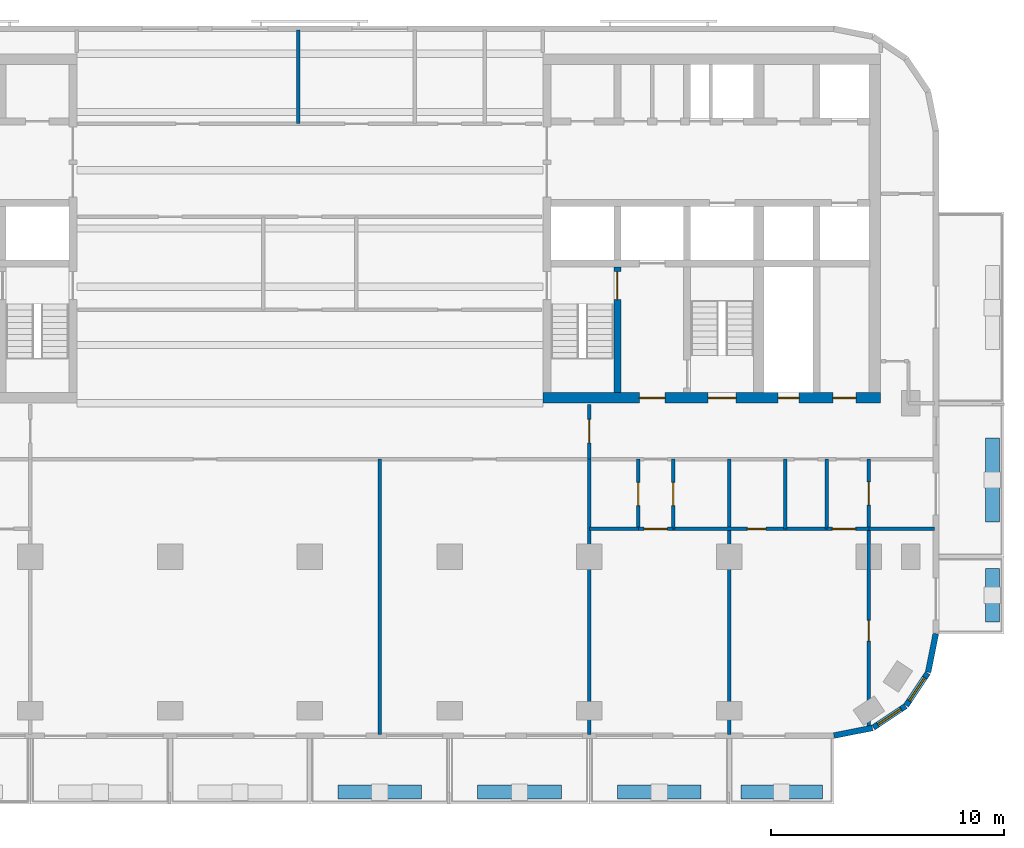
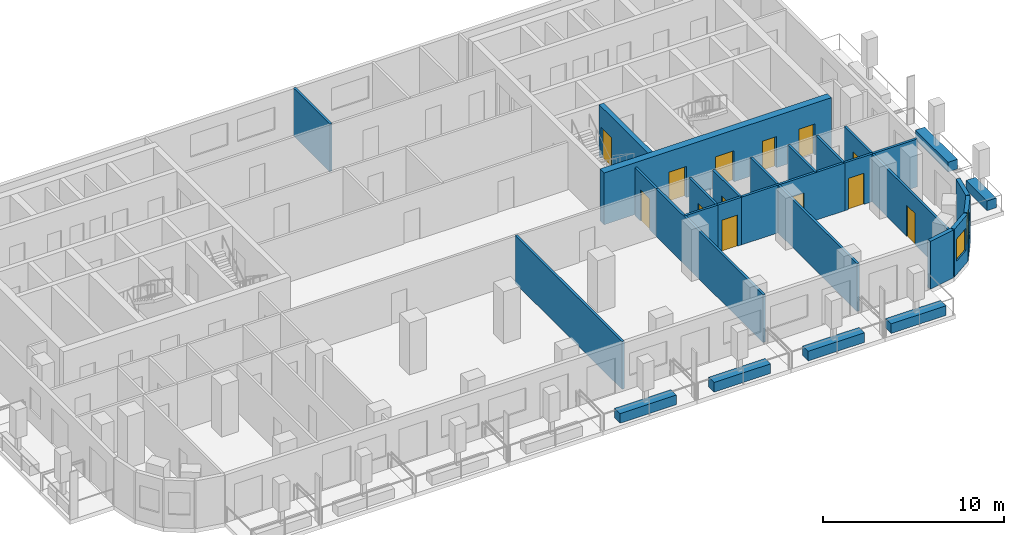
# One storey, part 5 of 11: 28 walls, 13 doors, 2 windows, 15 openings.
"""IFC4 building model written with IfcOpenShell, lengths in metres."""

from ifc_helpers import new_model, si_unit, direction, frame, frame_2d, origin, place, context, subcontext, project, spatial, rectangle, extrude, material, layer, layer_set, type_object, element, fill, save


model = new_model("IFC4")

# Units and contexts
model_context = context("Model", 3, precision=1e-05, world=origin(), true_north=direction((0.0, 1.0)))
body_context = subcontext(model_context, "Body", "Model", "MODEL_VIEW")
ifc_project = project(units=[si_unit("LENGTHUNIT", "METRE"), si_unit("AREAUNIT", "SQUARE_METRE"), si_unit("VOLUMEUNIT", "CUBIC_METRE"), si_unit("PLANEANGLEUNIT", "RADIAN"), si_unit("MASSUNIT", "GRAM", prefix="KILO")], contexts=[model_context])

# Site, building, storey
site_placement = place(None, origin())
site = spatial("IfcSite", under=ifc_project, at=site_placement, CompositionType="ELEMENT")
building_placement = place(site_placement, origin())
building = spatial("IfcBuilding", under=site, at=building_placement, Name="Torana Hotel and Residences", CompositionType="ELEMENT")
storey_placement = place(building_placement, frame((0.0, 0.0, 211.60009765625)))
storey = spatial("IfcBuildingStorey", under=building, at=storey_placement, Name="L55", CompositionType="ELEMENT", Elevation=211.60009765625)

# Wall, opening, door
ifc_material_1 = material(Name="Concrete C70/85", Category="concrete")
ifc_layer_1 = layer(ifc_material_1, 0.300048828125)
ifc_layer_set_1 = layer_set([ifc_layer_1], Name="CORE WALL 300 C70/85")
wall_type_1 = type_object("IfcWallType", Name="CORE WALL 300 C70/85", PredefinedType="SHEAR", material=ifc_layer_set_1)
wall_1_placement = place(storey_placement, frame((13.199951171875, -14.550048828125, 0.0), z_axis=(0.0, 0.0, 1.0), x_axis=(0.0, 1.0, 0.0)))
wall_1 = element("IfcWall", 1, at=wall_1_placement, inside=storey, type_object=wall_type_1, Name="Core wall E x3.05-band", PredefinedType="SHEAR", context=body_context, shape_type="SweptSolid", body=[
    extrude(rectangle(XDim=5.400146484375, YDim=0.300048828125, at=frame_2d((2.7001953125, 0.0))), origin(), (0.0, 0.0, 1.0), 3.5),
])
opening_1_placement = place(wall_1_placement, frame((4.0, 0.0, 0.0)))
opening_1 = element("IfcOpeningElement", 2, at=opening_1_placement, cuts=wall_1, Name="Opening L55-29", PredefinedType="OPENING", context=body_context, shape_type="SweptSolid", body=[
    extrude(rectangle(XDim=1.199951171875, YDim=2.10009765625, at=frame_2d((0.60009765625, 1.050048828125))), frame((0.0, 0.159912109375, 0.0), z_axis=(0.0, -1.0, 0.0), x_axis=(1.0, 0.0, 0.0)), (0.0, 0.0, 1.0), 0.320068359375),
])
ifc_material_2 = material(Name="Steel S235", Category="steel")
door_type_1 = type_object("IfcDoorType", Name="STAIR FIRE DOOR D3 1200x2100", OperationType="SINGLE_SWING_LEFT", PredefinedType="DOOR", material=ifc_material_2)
door_1_placement = place(opening_1_placement, origin())
door_1 = element("IfcDoor", 3, at=door_1_placement, inside=storey, type_object=door_type_1, Name="Stair-A-lobby door L55", OperationType="SINGLE_SWING_LEFT", OverallHeight=2.10009765625, OverallWidth=1.199951171875, PredefinedType="DOOR", context=body_context, shape_type="SweptSolid", body=[
    extrude(rectangle(XDim=1.199951171875, YDim=2.10009765625, at=frame_2d((0.60009765625, 1.050048828125))), frame((0.0, 0.02490234375, 0.0), z_axis=(0.0, -1.0, 0.0), x_axis=(1.0, 0.0, 0.0)), (0.0, 0.0, 1.0), 0.050048828125),
])
fill(opening_1, door_1)

# Wall, openings, doors
ifc_material_3 = material(Name="Concrete C70/85", Category="concrete")
ifc_layer_2 = layer(ifc_material_3, 0.449951171875)
ifc_layer_set_2 = layer_set([ifc_layer_2], Name="CORE WALL 450 C70/85")
wall_type_2 = type_object("IfcWallType", Name="CORE WALL 450 C70/85", PredefinedType="SHEAR", material=ifc_layer_set_2)
wall_2_placement = place(storey_placement, frame((10.0, -14.77490234375, 0.0), z_axis=(0.0, 0.0, 1.0), x_axis=(1.0, 0.0, 0.0)))
wall_2 = element("IfcWall", 4, at=wall_2_placement, inside=storey, type_object=wall_type_2, Name="Core wall E front", PredefinedType="SHEAR", context=body_context, shape_type="SweptSolid", body=[
    extrude(rectangle(XDim=14.5, YDim=0.449951171875, at=frame_2d((7.25, 0.0))), origin(), (0.0, 0.0, 1.0), 3.5),
])
opening_2_placement = place(wall_2_placement, frame((7.10009765625, 0.0, 0.0)))
opening_2 = element("IfcOpeningElement", 5, at=opening_2_placement, cuts=wall_2, Name="Opening L55-19", PredefinedType="OPENING", context=body_context, shape_type="SweptSolid", body=[
    extrude(rectangle(XDim=1.199951171875, YDim=2.10009765625, at=frame_2d((0.60009765625, 1.050048828125))), frame((0.0, 0.23486328125, 0.0), z_axis=(0.0, -1.0, 0.0), x_axis=(1.0, 0.0, 0.0)), (0.0, 0.0, 1.0), 0.469970703125),
])
opening_3_placement = place(wall_2_placement, frame((4.14990234375, 0.0, 0.0)))
opening_3 = element("IfcOpeningElement", 6, at=opening_3_placement, cuts=wall_2, Name="Opening L55-20", PredefinedType="OPENING", context=body_context, shape_type="SweptSolid", body=[
    extrude(rectangle(XDim=1.10009765625, YDim=2.10009765625, at=frame_2d((0.550048828125, 1.050048828125))), frame((0.0, 0.23486328125, 0.0), z_axis=(0.0, -1.0, 0.0), x_axis=(1.0, 0.0, 0.0)), (0.0, 0.0, 1.0), 0.469970703125),
])
opening_4_placement = place(wall_2_placement, frame((10.10009765625, 0.0, 0.0)))
opening_4 = element("IfcOpeningElement", 7, at=opening_4_placement, cuts=wall_2, Name="Opening L55-21", PredefinedType="OPENING", context=body_context, shape_type="SweptSolid", body=[
    extrude(rectangle(XDim=0.89990234375, YDim=2.10009765625, at=frame_2d((0.449951171875, 1.050048828125))), frame((0.0, 0.23486328125, 0.0), z_axis=(0.0, -1.0, 0.0), x_axis=(1.0, 0.0, 0.0)), (0.0, 0.0, 1.0), 0.469970703125),
])
opening_5_placement = place(wall_2_placement, frame((12.449951171875, 0.0, 0.0)))
opening_5 = element("IfcOpeningElement", 8, at=opening_5_placement, cuts=wall_2, Name="Opening L55-22", PredefinedType="OPENING", context=body_context, shape_type="SweptSolid", body=[
    extrude(rectangle(XDim=1.0, YDim=2.10009765625, at=frame_2d((0.5, 1.050048828125))), frame((0.0, 0.23486328125, 0.0), z_axis=(0.0, -1.0, 0.0), x_axis=(1.0, 0.0, 0.0)), (0.0, 0.0, 1.0), 0.469970703125),
])
ifc_material_4 = material(Name="Steel S235", Category="steel")
door_type_2 = type_object("IfcDoorType", Name="CORE ROOM FIRE DOOR D14 1000x2100", OperationType="SINGLE_SWING_LEFT", PredefinedType="DOOR", material=ifc_material_4)
door_2_placement = place(opening_5_placement, origin())
door_2 = element("IfcDoor", 9, at=door_2_placement, inside=storey, type_object=door_type_2, Name="M-Room door L55", OperationType="SINGLE_SWING_RIGHT", OverallHeight=2.10009765625, OverallWidth=1.0, PredefinedType="DOOR", context=body_context, shape_type="SweptSolid", body=[
    extrude(rectangle(XDim=1.0, YDim=2.10009765625, at=frame_2d((0.5, 1.050048828125))), frame((0.0, 0.02490234375, 0.0), z_axis=(0.0, -1.0, 0.0), x_axis=(1.0, 0.0, 0.0)), (0.0, 0.0, 1.0), 0.050048828125),
])
fill(opening_5, door_2)
ifc_material_5 = material(Name="Steel S235", Category="steel")
door_type_3 = type_object("IfcDoorType", Name="FIRE-FIGHTING LOBBY DOOR D8 1100x2100", OperationType="SINGLE_SWING_LEFT", PredefinedType="DOOR", material=ifc_material_5)
door_3_placement = place(opening_3_placement, origin())
door_3 = element("IfcDoor", 10, at=door_3_placement, inside=storey, type_object=door_type_3, Name="FF-lobby door L55", OperationType="SINGLE_SWING_RIGHT", OverallHeight=2.10009765625, OverallWidth=1.10009765625, PredefinedType="DOOR", context=body_context, shape_type="SweptSolid", body=[
    extrude(rectangle(XDim=1.10009765625, YDim=2.10009765625, at=frame_2d((0.550048828125, 1.050048828125))), frame((0.0, 0.02490234375, 0.0), z_axis=(0.0, -1.0, 0.0), x_axis=(1.0, 0.0, 0.0)), (0.0, 0.0, 1.0), 0.050048828125),
])
fill(opening_3, door_3)
ifc_material_6 = material(Name="Steel S235", Category="steel")
door_type_4 = type_object("IfcDoorType", Name="RISER ACCESS DOOR D5 900x2100", OperationType="SINGLE_SWING_LEFT", PredefinedType="DOOR", material=ifc_material_6)
door_4_placement = place(opening_4_placement, origin())
door_4 = element("IfcDoor", 11, at=door_4_placement, inside=storey, type_object=door_type_4, Name="M-Riser door L55", OperationType="SINGLE_SWING_RIGHT", OverallHeight=2.10009765625, OverallWidth=0.89990234375, PredefinedType="DOOR", context=body_context, shape_type="SweptSolid", body=[
    extrude(rectangle(XDim=0.89990234375, YDim=2.10009765625, at=frame_2d((0.449951171875, 1.050048828125))), frame((0.0, 0.02490234375, 0.0), z_axis=(0.0, -1.0, 0.0), x_axis=(1.0, 0.0, 0.0)), (0.0, 0.0, 1.0), 0.050048828125),
])
fill(opening_4, door_4)
door_5_placement = place(opening_2_placement, origin())
door_5 = element("IfcDoor", 12, at=door_5_placement, inside=storey, type_object=door_type_1, Name="Stair-B door L55", OperationType="SINGLE_SWING_RIGHT", OverallHeight=2.10009765625, OverallWidth=1.199951171875, PredefinedType="DOOR", context=body_context, shape_type="SweptSolid", body=[
    extrude(rectangle(XDim=1.199951171875, YDim=2.10009765625, at=frame_2d((0.60009765625, 1.050048828125))), frame((0.0, 0.02490234375, 0.0), z_axis=(0.0, -1.0, 0.0), x_axis=(1.0, 0.0, 0.0)), (0.0, 0.0, 1.0), 0.050048828125),
])
fill(opening_2, door_5)

# Wall
ifc_material_7 = material(Name="Black aluminium composite panel", Category="aluminium")
ifc_layer_3 = layer(ifc_material_7, 0.00390625, Name="Cladding", Category="cladding")
ifc_material_8 = material(Name="Ventilated air cavity")
ifc_layer_4 = layer(ifc_material_8, 0.0400390625, Name="Ventilated cavity", Category="cavity")
ifc_material_9 = material(Name="Mineral wool insulation")
ifc_layer_5 = layer(ifc_material_9, 0.090087890625, Name="Insulation", Category="insulation")
ifc_material_10 = material(Name="Steel S280GD", Category="steel")
ifc_layer_6 = layer(ifc_material_10, 0.092041015625, Name="Steel stud frame", Category="structure")
ifc_material_11 = material(Name="Fire rated plasterboard")
ifc_layer_7 = layer(ifc_material_11, 0.011962890625, Name="Inner board", Category="finish")
ifc_layer_8 = layer(ifc_material_11, 0.011962890625, Name="Second board", Category="finish")
ifc_layer_set_3 = layer_set([ifc_layer_3, ifc_layer_4, ifc_layer_5, ifc_layer_6, ifc_layer_7, ifc_layer_8], Name="EW1 EXTERNAL WALL BLACK METAL CLAD 250")
wall_type_3 = type_object("IfcWallType", Name="EW1 EXTERNAL WALL BLACK METAL CLAD 250", PredefinedType="SOLIDWALL", material=ifc_layer_set_3)
wall_3_placement = place(storey_placement, frame((22.499755859375, -29.272705078125, 0.0), z_axis=(0.0, 0.0, 1.0), x_axis=(0.980775640221, 0.19513878023, 0.0)))
element("IfcWall", 13, at=wall_3_placement, inside=storey, type_object=wall_type_3, Name="External wall L55 e0.15", PredefinedType="SOLIDWALL", context=body_context, shape_type="SweptSolid", body=[
    extrude(rectangle(XDim=1.681396484375, YDim=0.25, at=frame_2d((0.8408203125, 0.0))), origin(), (0.0, 0.0, 1.0), 3.219970703125),
])

# Wall, opening, window
wall_4_placement = place(storey_placement, frame((24.194091796875, -28.92578125, 0.0), z_axis=(0.0, 0.0, 1.0), x_axis=(0.831482937015, 0.55555029066, 0.0)))
wall_4 = element("IfcWall", 14, at=wall_4_placement, inside=storey, type_object=wall_type_3, Name="External wall L55 e0.16", PredefinedType="SOLIDWALL", context=body_context, shape_type="SweptSolid", body=[
    extrude(rectangle(XDim=1.65625, YDim=0.25, at=frame_2d((0.828125, 0.0))), origin(), (0.0, 0.0, 1.0), 3.219970703125),
])
opening_6_placement = place(wall_4_placement, frame((0.228271484375, 0.0, 0.89990234375)))
opening_6 = element("IfcOpeningElement", 15, at=opening_6_placement, cuts=wall_4, Name="Opening W5", PredefinedType="OPENING", context=body_context, shape_type="SweptSolid", body=[
    extrude(rectangle(XDim=1.199951171875, YDim=1.5, at=frame_2d((0.60009765625, 0.75))), frame((0.0, 0.135009765625, 0.0), z_axis=(0.0, -1.0, 0.0), x_axis=(1.0, 0.0, 0.0)), (0.0, 0.0, 1.0), 0.27001953125),
])
ifc_material_12 = material(Name="Dark glass in black aluminium frame", Category="aluminium")
window_type = type_object("IfcWindowType", Name="W5 CORNER FACET WINDOW 1200x1500", PartitioningType="SINGLE_PANEL", PredefinedType="WINDOW", material=ifc_material_12)
window_1_placement = place(opening_6_placement, origin())
window_1 = element("IfcWindow", 16, at=window_1_placement, inside=storey, type_object=window_type, Name="Window L55 e0.16", OverallHeight=1.5, OverallWidth=1.199951171875, PartitioningType="SINGLE_PANEL", PredefinedType="WINDOW", context=body_context, shape_type="SweptSolid", body=[
    extrude(rectangle(XDim=1.199951171875, YDim=1.5, at=frame_2d((0.60009765625, 0.75))), frame((0.0, 0.030029296875, 0.0), z_axis=(0.0, -1.0, 0.0), x_axis=(1.0, 0.0, 0.0)), (0.0, 0.0, 1.0), 0.06005859375),
])
fill(opening_6, window_1)

wall_5_placement = place(storey_placement, frame((25.605712890625, -27.97119140625, 0.0), z_axis=(0.0, 0.0, 1.0), x_axis=(0.55555029066, 0.831482937015, 0.0)))
wall_5 = element("IfcWall", 17, at=wall_5_placement, inside=storey, type_object=wall_type_3, Name="External wall L55 e0.17", PredefinedType="SOLIDWALL", context=body_context, shape_type="SweptSolid", body=[
    extrude(rectangle(XDim=1.65625, YDim=0.25, at=frame_2d((0.828125, 0.0))), origin(), (0.0, 0.0, 1.0), 3.219970703125),
])
opening_7_placement = place(wall_5_placement, frame((0.228271484375, 0.0, 0.89990234375)))
opening_7 = element("IfcOpeningElement", 18, at=opening_7_placement, cuts=wall_5, Name="Opening W5", PredefinedType="OPENING", context=body_context, shape_type="SweptSolid", body=[
    extrude(rectangle(XDim=1.199951171875, YDim=1.5, at=frame_2d((0.60009765625, 0.75))), frame((0.0, 0.135009765625, 0.0), z_axis=(0.0, -1.0, 0.0), x_axis=(1.0, 0.0, 0.0)), (0.0, 0.0, 1.0), 0.27001953125),
])
window_2_placement = place(opening_7_placement, origin())
window_2 = element("IfcWindow", 19, at=window_2_placement, inside=storey, type_object=window_type, Name="Window L55 e0.17", OverallHeight=1.5, OverallWidth=1.199951171875, PartitioningType="SINGLE_PANEL", PredefinedType="WINDOW", context=body_context, shape_type="SweptSolid", body=[
    extrude(rectangle(XDim=1.199951171875, YDim=1.5, at=frame_2d((0.60009765625, 0.75))), frame((0.0, 0.030029296875, 0.0), z_axis=(0.0, -1.0, 0.0), x_axis=(1.0, 0.0, 0.0)), (0.0, 0.0, 1.0), 0.06005859375),
])
fill(opening_7, window_2)

# Wall
wall_6_placement = place(storey_placement, frame((26.544677734375, -26.548828125, 0.0), z_axis=(0.0, 0.0, 1.0), x_axis=(0.195026884138, 0.980797896849, 0.0)))
element("IfcWall", 20, at=wall_6_placement, inside=storey, type_object=wall_type_3, Name="External wall L55 e0.18", PredefinedType="SOLIDWALL", context=body_context, shape_type="SweptSolid", body=[
    extrude(rectangle(XDim=1.68115234375, YDim=0.25, at=frame_2d((0.840576171875, 0.0))), origin(), (0.0, 0.0, 1.0), 3.219970703125),
])

# Wall, opening, door
ifc_material_13 = material(Name="Gypsum plaster")
ifc_layer_9 = layer(ifc_material_13, 0.014892578125, Name="Plaster", Category="finish")
ifc_material_14 = material(Name="Concrete blockwork", Category="masonry")
ifc_layer_10 = layer(ifc_material_14, 0.1201171875, Name="Blockwork", Category="structure")
ifc_layer_11 = layer(ifc_material_13, 0.014892578125, Name="Plaster", Category="finish")
ifc_layer_set_4 = layer_set([ifc_layer_9, ifc_layer_10, ifc_layer_11], Name="FIRE PARTITION 150 BLOCKWORK")
wall_type_4 = type_object("IfcWallType", Name="FIRE PARTITION 150 BLOCKWORK", PredefinedType="PARTITIONING", material=ifc_layer_set_4)
wall_7_placement = place(storey_placement, frame((24.0, -20.39990234375, 0.0), z_axis=(0.0, 0.0, 1.0), x_axis=(0.0, 1.0, 0.0)))
wall_7 = element("IfcWall", 21, at=wall_7_placement, inside=storey, type_object=wall_type_4, Name="Partition L55", PredefinedType="PARTITIONING", context=body_context, shape_type="SweptSolid", body=[
    extrude(rectangle(XDim=3.0, YDim=0.14990234375, at=frame_2d((1.5, 0.0))), origin(), (0.0, 0.0, 1.0), 3.219970703125),
])
opening_8_placement = place(wall_7_placement, frame((1.02001953125, 0.0, 0.0)))
opening_8 = element("IfcOpeningElement", 22, at=opening_8_placement, cuts=wall_7, Name="Opening L55-61", PredefinedType="OPENING", context=body_context, shape_type="SweptSolid", body=[
    extrude(rectangle(XDim=1.0, YDim=2.10009765625, at=frame_2d((0.5, 1.050048828125))), frame((0.0, 0.0849609375, 0.0), z_axis=(0.0, -1.0, 0.0), x_axis=(1.0, 0.0, 0.0)), (0.0, 0.0, 1.0), 0.169921875),
])
ifc_material_15 = material(Name="Steel S235", Category="steel")
door_type_5 = type_object("IfcDoorType", Name="ENTRY FIRE DOOR D6 1000x2100", OperationType="SINGLE_SWING_LEFT", PredefinedType="DOOR", material=ifc_material_15)
door_6_placement = place(opening_8_placement, frame((0.5, 0.0, 0.0), z_axis=(0.0, 0.0, 1.0), x_axis=(-1.0, 0.0, 0.0)))
door_6 = element("IfcDoor", 23, at=door_6_placement, inside=storey, type_object=door_type_5, Name="Door L55", OperationType="SINGLE_SWING_LEFT", OverallHeight=2.10009765625, OverallWidth=1.0, PredefinedType="DOOR", context=body_context, shape_type="SweptSolid", body=[
    extrude(rectangle(XDim=1.0, YDim=2.10009765625, at=frame_2d((0.0, 1.050048828125))), frame((0.0, -0.02490234375, 0.0), z_axis=(0.0, 1.0, 0.0), x_axis=(-1.0, 0.0, 0.0)), (0.0, 0.0, 1.0), 0.050048828125),
])
fill(opening_8, door_6)

# Wall
wall_8_placement = place(storey_placement, frame((22.199951171875, -20.39990234375, 0.0), z_axis=(0.0, 0.0, 1.0), x_axis=(0.0, 1.0, 0.0)))
element("IfcWall", 24, at=wall_8_placement, inside=storey, type_object=wall_type_4, Name="Partition L55", PredefinedType="PARTITIONING", context=body_context, shape_type="SweptSolid", body=[
    extrude(rectangle(XDim=3.0, YDim=0.14990234375, at=frame_2d((1.5, 0.0))), origin(), (0.0, 0.0, 1.0), 3.219970703125),
])

# Wall, opening, door
wall_9_placement = place(storey_placement, frame((15.60009765625, -20.39990234375, 0.0), z_axis=(0.0, 0.0, 1.0), x_axis=(0.0, 1.0, 0.0)))
wall_9 = element("IfcWall", 25, at=wall_9_placement, inside=storey, type_object=wall_type_4, Name="Partition L55", PredefinedType="PARTITIONING", context=body_context, shape_type="SweptSolid", body=[
    extrude(rectangle(XDim=3.0, YDim=0.14990234375, at=frame_2d((1.5, 0.0))), origin(), (0.0, 0.0, 1.0), 3.219970703125),
])
opening_9_placement = place(wall_9_placement, frame((1.0, 0.0, 0.0)))
opening_9 = element("IfcOpeningElement", 26, at=opening_9_placement, cuts=wall_9, Name="Opening L55-51", PredefinedType="OPENING", context=body_context, shape_type="SweptSolid", body=[
    extrude(rectangle(XDim=1.0, YDim=2.10009765625, at=frame_2d((0.5, 1.050048828125))), frame((0.0, 0.0849609375, 0.0), z_axis=(0.0, -1.0, 0.0), x_axis=(1.0, 0.0, 0.0)), (0.0, 0.0, 1.0), 0.169921875),
])
door_7_placement = place(opening_9_placement, frame((0.5, 0.0, 0.0), z_axis=(0.0, 0.0, 1.0), x_axis=(-1.0, 0.0, 0.0)))
door_7 = element("IfcDoor", 27, at=door_7_placement, inside=storey, type_object=door_type_5, Name="Door L55", OperationType="SINGLE_SWING_LEFT", OverallHeight=2.10009765625, OverallWidth=1.0, PredefinedType="DOOR", context=body_context, shape_type="SweptSolid", body=[
    extrude(rectangle(XDim=1.0, YDim=2.10009765625, at=frame_2d((0.0, 1.050048828125))), frame((0.0, -0.02490234375, 0.0), z_axis=(0.0, 1.0, 0.0), x_axis=(-1.0, 0.0, 0.0)), (0.0, 0.0, 1.0), 0.050048828125),
])
fill(opening_9, door_7)

wall_10_placement = place(storey_placement, frame((14.10009765625, -20.39990234375, 0.0), z_axis=(0.0, 0.0, 1.0), x_axis=(0.0, 1.0, 0.0)))
wall_10 = element("IfcWall", 28, at=wall_10_placement, inside=storey, type_object=wall_type_4, Name="Partition L55", PredefinedType="PARTITIONING", context=body_context, shape_type="SweptSolid", body=[
    extrude(rectangle(XDim=3.0, YDim=0.14990234375, at=frame_2d((1.5, 0.0))), origin(), (0.0, 0.0, 1.0), 3.219970703125),
])
opening_10_placement = place(wall_10_placement, frame((1.0, 0.0, 0.0)))
opening_10 = element("IfcOpeningElement", 29, at=opening_10_placement, cuts=wall_10, Name="Opening L55-50", PredefinedType="OPENING", context=body_context, shape_type="SweptSolid", body=[
    extrude(rectangle(XDim=1.0, YDim=2.10009765625, at=frame_2d((0.5, 1.050048828125))), frame((0.0, 0.0849609375, 0.0), z_axis=(0.0, -1.0, 0.0), x_axis=(1.0, 0.0, 0.0)), (0.0, 0.0, 1.0), 0.169921875),
])
door_8_placement = place(opening_10_placement, origin())
door_8 = element("IfcDoor", 30, at=door_8_placement, inside=storey, type_object=door_type_5, Name="Door L55", OperationType="SINGLE_SWING_RIGHT", OverallHeight=2.10009765625, OverallWidth=1.0, PredefinedType="DOOR", context=body_context, shape_type="SweptSolid", body=[
    extrude(rectangle(XDim=1.0, YDim=2.10009765625, at=frame_2d((0.5, 1.050048828125))), frame((0.0, 0.02490234375, 0.0), z_axis=(0.0, -1.0, 0.0), x_axis=(1.0, 0.0, 0.0)), (0.0, 0.0, 1.0), 0.050048828125),
])
fill(opening_10, door_8)

wall_11_placement = place(storey_placement, frame((12.0, -17.39990234375, 0.0), z_axis=(0.0, 0.0, 1.0), x_axis=(0.0, 1.0, 0.0)))
wall_11 = element("IfcWall", 31, at=wall_11_placement, inside=storey, type_object=wall_type_4, Name="Partition L55", PredefinedType="PARTITIONING", context=body_context, shape_type="SweptSolid", body=[
    extrude(rectangle(XDim=2.349853515625, YDim=0.14990234375, at=frame_2d((1.1748046875, 0.0))), origin(), (0.0, 0.0, 1.0), 3.219970703125),
])
opening_11_placement = place(wall_11_placement, frame((0.699951171875, 0.0, 0.0)))
opening_11 = element("IfcOpeningElement", 32, at=opening_11_placement, cuts=wall_11, Name="Opening L55-35", PredefinedType="OPENING", context=body_context, shape_type="SweptSolid", body=[
    extrude(rectangle(XDim=1.0, YDim=2.10009765625, at=frame_2d((0.5, 1.050048828125))), frame((0.0, 0.0849609375, 0.0), z_axis=(0.0, -1.0, 0.0), x_axis=(1.0, 0.0, 0.0)), (0.0, 0.0, 1.0), 0.169921875),
])
door_9_placement = place(opening_11_placement, origin())
door_9 = element("IfcDoor", 33, at=door_9_placement, inside=storey, type_object=door_type_5, Name="Door L55", OperationType="SINGLE_SWING_RIGHT", OverallHeight=2.10009765625, OverallWidth=1.0, PredefinedType="DOOR", context=body_context, shape_type="SweptSolid", body=[
    extrude(rectangle(XDim=1.0, YDim=2.10009765625, at=frame_2d((0.5, 1.050048828125))), frame((0.0, 0.02490234375, 0.0), z_axis=(0.0, -1.0, 0.0), x_axis=(1.0, 0.0, 0.0)), (0.0, 0.0, 1.0), 0.050048828125),
])
fill(opening_11, door_9)

wall_12_placement = place(storey_placement, frame((14.10009765625, -20.39990234375, 0.0), z_axis=(0.0, 0.0, 1.0), x_axis=(1.0, 0.0, 0.0)))
wall_12 = element("IfcWall", 34, at=wall_12_placement, inside=storey, type_object=wall_type_4, Name="Partition L55", PredefinedType="PARTITIONING", context=body_context, shape_type="SweptSolid", body=[
    extrude(rectangle(XDim=1.5, YDim=0.14990234375, at=frame_2d((0.75, 0.0))), origin(), (0.0, 0.0, 1.0), 3.219970703125),
])
opening_12_placement = place(wall_12_placement, frame((0.25, 0.0, 0.0)))
opening_12 = element("IfcOpeningElement", 35, at=opening_12_placement, cuts=wall_12, Name="Opening L55-52", PredefinedType="OPENING", context=body_context, shape_type="SweptSolid", body=[
    extrude(rectangle(XDim=1.0, YDim=2.10009765625, at=frame_2d((0.5, 1.050048828125))), frame((0.0, 0.0849609375, 0.0), z_axis=(0.0, -1.0, 0.0), x_axis=(1.0, 0.0, 0.0)), (0.0, 0.0, 1.0), 0.169921875),
])
door_10_placement = place(opening_12_placement, frame((0.5, 0.0, 0.0), z_axis=(0.0, 0.0, 1.0), x_axis=(-1.0, 0.0, 0.0)))
door_10 = element("IfcDoor", 36, at=door_10_placement, inside=storey, type_object=door_type_5, Name="Door L55", OperationType="SINGLE_SWING_LEFT", OverallHeight=2.10009765625, OverallWidth=1.0, PredefinedType="DOOR", context=body_context, shape_type="SweptSolid", body=[
    extrude(rectangle(XDim=1.0, YDim=2.10009765625, at=frame_2d((0.0, 1.050048828125))), frame((0.0, -0.02490234375, 0.0), z_axis=(0.0, 1.0, 0.0), x_axis=(-1.0, 0.0, 0.0)), (0.0, 0.0, 1.0), 0.050048828125),
])
fill(opening_12, door_10)

wall_13_placement = place(storey_placement, frame((22.199951171875, -20.39990234375, 0.0), z_axis=(0.0, 0.0, 1.0), x_axis=(1.0, 0.0, 0.0)))
wall_13 = element("IfcWall", 37, at=wall_13_placement, inside=storey, type_object=wall_type_4, Name="Partition L55", PredefinedType="PARTITIONING", context=body_context, shape_type="SweptSolid", body=[
    extrude(rectangle(XDim=1.800048828125, YDim=0.14990234375, at=frame_2d((0.89990234375, 0.0))), origin(), (0.0, 0.0, 1.0), 3.219970703125),
])
opening_13_placement = place(wall_13_placement, frame((0.22998046875, 0.0, 0.0)))
opening_13 = element("IfcOpeningElement", 38, at=opening_13_placement, cuts=wall_13, Name="Opening L55-62", PredefinedType="OPENING", context=body_context, shape_type="SweptSolid", body=[
    extrude(rectangle(XDim=1.0, YDim=2.10009765625, at=frame_2d((0.5, 1.050048828125))), frame((0.0, 0.0849609375, 0.0), z_axis=(0.0, -1.0, 0.0), x_axis=(1.0, 0.0, 0.0)), (0.0, 0.0, 1.0), 0.169921875),
])
door_11_placement = place(opening_13_placement, frame((0.5, 0.0, 0.0), z_axis=(0.0, 0.0, 1.0), x_axis=(-1.0, 0.0, 0.0)))
door_11 = element("IfcDoor", 39, at=door_11_placement, inside=storey, type_object=door_type_5, Name="Door L55", OperationType="SINGLE_SWING_RIGHT", OverallHeight=2.10009765625, OverallWidth=1.0, PredefinedType="DOOR", context=body_context, shape_type="SweptSolid", body=[
    extrude(rectangle(XDim=1.0, YDim=2.10009765625, at=frame_2d((0.0, 1.050048828125))), frame((0.0, -0.02490234375, 0.0), z_axis=(0.0, 1.0, 0.0), x_axis=(-1.0, 0.0, 0.0)), (0.0, 0.0, 1.0), 0.050048828125),
])
fill(opening_13, door_11)

ifc_material_16 = material(Name="Gypsum plasterboard")
ifc_layer_12 = layer(ifc_material_16, 0.012451171875, Name="Plasterboard", Category="finish")
ifc_layer_13 = layer(ifc_material_16, 0.012451171875, Name="Plasterboard", Category="finish")
ifc_layer_14 = layer(ifc_material_10, 0.10009765625, Name="Steel studs with mineral wool", Category="insulation")
ifc_layer_15 = layer(ifc_material_16, 0.012451171875, Name="Plasterboard", Category="finish")
ifc_layer_16 = layer(ifc_material_16, 0.012451171875, Name="Plasterboard", Category="finish")
ifc_layer_set_5 = layer_set([ifc_layer_12, ifc_layer_13, ifc_layer_14, ifc_layer_15, ifc_layer_16], Name="PARTITION 150 PLASTERBOARD")
wall_type_5 = type_object("IfcWallType", Name="PARTITION 150 PLASTERBOARD", PredefinedType="PARTITIONING", material=ifc_layer_set_5)
wall_14_placement = place(storey_placement, frame((24.0, -28.918212890625, 0.0), z_axis=(0.0, 0.0, 1.0), x_axis=(0.0, 1.0, 0.0)))
wall_14 = element("IfcWall", 40, at=wall_14_placement, inside=storey, type_object=wall_type_5, Name="Partition L55", PredefinedType="PARTITIONING", context=body_context, shape_type="SweptSolid", body=[
    extrude(rectangle(XDim=8.518310546875, YDim=0.14990234375, at=frame_2d((4.25927734375, 0.0))), origin(), (0.0, 0.0, 1.0), 3.219970703125),
])
opening_14_placement = place(wall_14_placement, frame((3.697998046875, 0.0, 0.0)))
opening_14 = element("IfcOpeningElement", 41, at=opening_14_placement, cuts=wall_14, Name="Opening L55-63", PredefinedType="OPENING", context=body_context, shape_type="SweptSolid", body=[
    extrude(rectangle(XDim=0.89990234375, YDim=2.10009765625, at=frame_2d((0.449951171875, 1.050048828125))), frame((0.0, 0.0849609375, 0.0), z_axis=(0.0, -1.0, 0.0), x_axis=(1.0, 0.0, 0.0)), (0.0, 0.0, 1.0), 0.169921875),
])
ifc_material_17 = material(Name="Timber door, oiled ash", Category="wood")
door_type_6 = type_object("IfcDoorType", Name="ROOM DOOR D7 900x2100", OperationType="SINGLE_SWING_LEFT", PredefinedType="DOOR", material=ifc_material_17)
door_12_placement = place(opening_14_placement, origin())
door_12 = element("IfcDoor", 42, at=door_12_placement, inside=storey, type_object=door_type_6, Name="Door L55", OperationType="SINGLE_SWING_RIGHT", OverallHeight=2.10009765625, OverallWidth=0.89990234375, PredefinedType="DOOR", context=body_context, shape_type="SweptSolid", body=[
    extrude(rectangle(XDim=0.89990234375, YDim=2.10009765625, at=frame_2d((0.449951171875, 1.050048828125))), frame((0.0, 0.02490234375, 0.0), z_axis=(0.0, -1.0, 0.0), x_axis=(1.0, 0.0, 0.0)), (0.0, 0.0, 1.0), 0.050048828125),
])
fill(opening_14, door_12)

# Walls
wall_15_placement = place(storey_placement, frame((20.39990234375, -20.39990234375, 0.0), z_axis=(0.0, 0.0, 1.0), x_axis=(0.0, 1.0, 0.0)))
element("IfcWall", 43, at=wall_15_placement, inside=storey, type_object=wall_type_5, Name="Partition L55", PredefinedType="PARTITIONING", context=body_context, shape_type="SweptSolid", body=[
    extrude(rectangle(XDim=3.0, YDim=0.14990234375, at=frame_2d((1.5, 0.0))), origin(), (0.0, 0.0, 1.0), 3.219970703125),
])
for number, where, z_axis, x_axis, name in (
    (44, (18.0, -29.219970703125, 0.0), (0.0, 0.0, 1.0), (0.0, 1.0, 0.0), "Partition L55"),
    (45, (12.0, -29.219970703125, 0.0), (0.0, 0.0, 1.0), (0.0, 1.0, 0.0), "Partition L55"),
    (46, (3.0, -29.219970703125, 0.0), (0.0, 0.0, 1.0), (0.0, 1.0, 0.0), "Partition L55"),
):
    element("IfcWall", number, at=place(storey_placement, frame(where, z_axis=z_axis, x_axis=x_axis)), inside=storey, type_object=wall_type_5, Name=name, PredefinedType="PARTITIONING", context=body_context, shape_type="SweptSolid", body=[
        extrude(rectangle(XDim=11.820068359375, YDim=0.14990234375, at=frame_2d((5.91015625, 0.0))), origin(), (0.0, 0.0, 1.0), 3.219970703125),
    ])
wall_16_placement = place(storey_placement, frame((-0.5, -3.0, 0.0), z_axis=(0.0, 0.0, 1.0), x_axis=(0.0, 1.0, 0.0)))
element("IfcWall", 47, at=wall_16_placement, inside=storey, type_object=wall_type_5, Name="Partition L55", PredefinedType="PARTITIONING", context=body_context, shape_type="SweptSolid", body=[
    extrude(rectangle(XDim=4.02001953125, YDim=0.14990234375, at=frame_2d((2.010009765625, 0.0))), origin(), (0.0, 0.0, 1.0), 3.219970703125),
])
wall_17_placement = place(storey_placement, frame((12.0, -20.39990234375, 0.0), z_axis=(0.0, 0.0, 1.0), x_axis=(1.0, 0.0, 0.0)))
element("IfcWall", 48, at=wall_17_placement, inside=storey, type_object=wall_type_5, Name="Partition L55", PredefinedType="PARTITIONING", context=body_context, shape_type="SweptSolid", body=[
    extrude(rectangle(XDim=2.10009765625, YDim=0.14990234375, at=frame_2d((1.050048828125, 0.0))), origin(), (0.0, 0.0, 1.0), 3.219970703125),
])

# Wall, opening, door
wall_18_placement = place(storey_placement, frame((15.60009765625, -20.39990234375, 0.0), z_axis=(0.0, 0.0, 1.0), x_axis=(1.0, 0.0, 0.0)))
wall_18 = element("IfcWall", 49, at=wall_18_placement, inside=storey, type_object=wall_type_5, Name="Partition L55", PredefinedType="PARTITIONING", context=body_context, shape_type="SweptSolid", body=[
    extrude(rectangle(XDim=6.599853515625, YDim=0.14990234375, at=frame_2d((3.2998046875, 0.0))), origin(), (0.0, 0.0, 1.0), 3.219970703125),
])
opening_15_placement = place(wall_18_placement, frame((3.179931640625, 0.0, 0.0)))
opening_15 = element("IfcOpeningElement", 50, at=opening_15_placement, cuts=wall_18, Name="Opening L55-60", PredefinedType="OPENING", context=body_context, shape_type="SweptSolid", body=[
    extrude(rectangle(XDim=0.800048828125, YDim=2.10009765625, at=frame_2d((0.39990234375, 1.050048828125))), frame((0.0, 0.0849609375, 0.0), z_axis=(0.0, -1.0, 0.0), x_axis=(1.0, 0.0, 0.0)), (0.0, 0.0, 1.0), 0.169921875),
])
ifc_material_18 = material(Name="Timber door, painted", Category="wood")
door_type_7 = type_object("IfcDoorType", Name="BATH DOOR D13 800x2100", OperationType="SINGLE_SWING_LEFT", PredefinedType="DOOR", material=ifc_material_18)
door_13_placement = place(opening_15_placement, origin())
door_13 = element("IfcDoor", 51, at=door_13_placement, inside=storey, type_object=door_type_7, Name="Door L55", OperationType="SINGLE_SWING_RIGHT", OverallHeight=2.10009765625, OverallWidth=0.800048828125, PredefinedType="DOOR", context=body_context, shape_type="SweptSolid", body=[
    extrude(rectangle(XDim=0.800048828125, YDim=2.10009765625, at=frame_2d((0.39990234375, 1.050048828125))), frame((0.0, 0.02490234375, 0.0), z_axis=(0.0, -1.0, 0.0), x_axis=(1.0, 0.0, 0.0)), (0.0, 0.0, 1.0), 0.050048828125),
])
fill(opening_15, door_13)

# Walls
wall_19_placement = place(storey_placement, frame((24.0, -20.39990234375, 0.0), z_axis=(0.0, 0.0, 1.0), x_axis=(1.0, 0.0, 0.0)))
element("IfcWall", 52, at=wall_19_placement, inside=storey, type_object=wall_type_5, Name="Partition L55", PredefinedType="PARTITIONING", context=body_context, shape_type="SweptSolid", body=[
    extrude(rectangle(XDim=2.820068359375, YDim=0.14990234375, at=frame_2d((1.41015625, 0.0))), origin(), (0.0, 0.0, 1.0), 3.219970703125),
])
ifc_material_19 = material(Name="Concrete C40/50 precast", Category="concrete")
ifc_layer_17 = layer(ifc_material_19, 0.10009765625, Name="Planter shell", Category="structure")
ifc_material_20 = material(Name="Root resistant membrane")
ifc_layer_18 = layer(ifc_material_20, 0.00390625, Name="Waterproofing membrane", Category="membrane")
ifc_material_21 = material(Name="Drainage board with filter fleece")
ifc_layer_19 = layer(ifc_material_21, 0.02001953125, Name="Drainage board", Category="drainage")
ifc_material_22 = material(Name="Growing medium")
ifc_layer_20 = layer(ifc_material_22, 0.47607421875, Name="Planting substrate", Category="soil")
ifc_layer_set_6 = layer_set([ifc_layer_17, ifc_layer_18, ifc_layer_19, ifc_layer_20], Name="PL1 BALCONY PLANTER 600")
wall_type_6 = type_object("IfcWallType", Name="PL1 BALCONY PLANTER 600", PredefinedType="USERDEFINED", material=ifc_layer_set_6)
for number, where, z_axis, x_axis, name in (
    (53, (4.800048828125, -31.699951171875, 0.0), (0.0, 0.0, 1.0), (-1.0, 0.0, 0.0), "Planter 05"),
    (54, (10.800048828125, -31.699951171875, 0.0), (0.0, 0.0, 1.0), (-1.0, 0.0, 0.0), "Planter 06"),
    (55, (16.800048828125, -31.699951171875, 0.0), (0.0, 0.0, 1.0), (-1.0, 0.0, 0.0), "Planter 07"),
):
    element("IfcWall", number, at=place(storey_placement, frame(where, z_axis=z_axis, x_axis=x_axis)), inside=storey, type_object=wall_type_6, Name=name, ObjectType="PLANTER", PredefinedType="USERDEFINED", context=body_context, shape_type="SweptSolid", body=[
        extrude(rectangle(XDim=3.60009765625, YDim=0.60009765625, at=frame_2d((1.800048828125, 0.0))), origin(), (0.0, 0.0, 1.0), 0.64990234375),
    ])
wall_20_placement = place(storey_placement, frame((22.0, -31.699951171875, 0.0), z_axis=(0.0, 0.0, 1.0), x_axis=(-1.0, 0.0, 0.0)))
element("IfcWall", 56, at=wall_20_placement, inside=storey, type_object=wall_type_6, Name="Planter 08", ObjectType="PLANTER", PredefinedType="USERDEFINED", context=body_context, shape_type="SweptSolid", body=[
    extrude(rectangle(XDim=3.5, YDim=0.60009765625, at=frame_2d((1.75, 0.0))), origin(), (0.0, 0.0, 1.0), 0.64990234375),
])
wall_21_placement = place(storey_placement, frame((29.300048828125, -22.10009765625, 0.0), z_axis=(0.0, 0.0, 1.0), x_axis=(0.0, -1.0, 0.0)))
element("IfcWall", 57, at=wall_21_placement, inside=storey, type_object=wall_type_6, Name="Planter 12", ObjectType="PLANTER", PredefinedType="USERDEFINED", context=body_context, shape_type="SweptSolid", body=[
    extrude(rectangle(XDim=2.2998046875, YDim=0.60009765625, at=frame_2d((1.14990234375, 0.0))), origin(), (0.0, 0.0, 1.0), 0.64990234375),
])
wall_22_placement = place(storey_placement, frame((29.300048828125, -16.5, 0.0), z_axis=(0.0, 0.0, 1.0), x_axis=(0.0, -1.0, 0.0)))
element("IfcWall", 58, at=wall_22_placement, inside=storey, type_object=wall_type_6, Name="Planter 13", ObjectType="PLANTER", PredefinedType="USERDEFINED", context=body_context, shape_type="SweptSolid", body=[
    extrude(rectangle(XDim=3.60009765625, YDim=0.60009765625, at=frame_2d((1.800048828125, 0.0))), origin(), (0.0, 0.0, 1.0), 0.64990234375),
])

save(model, "model.ifc")
